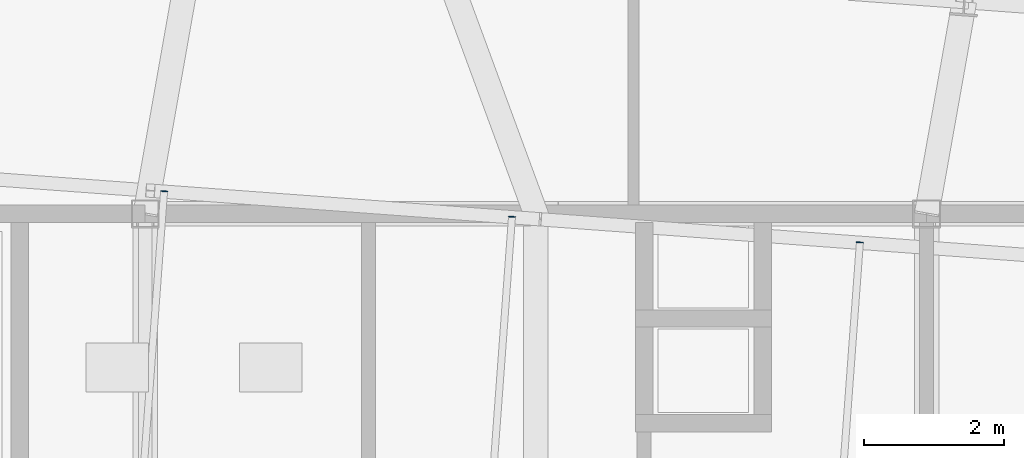
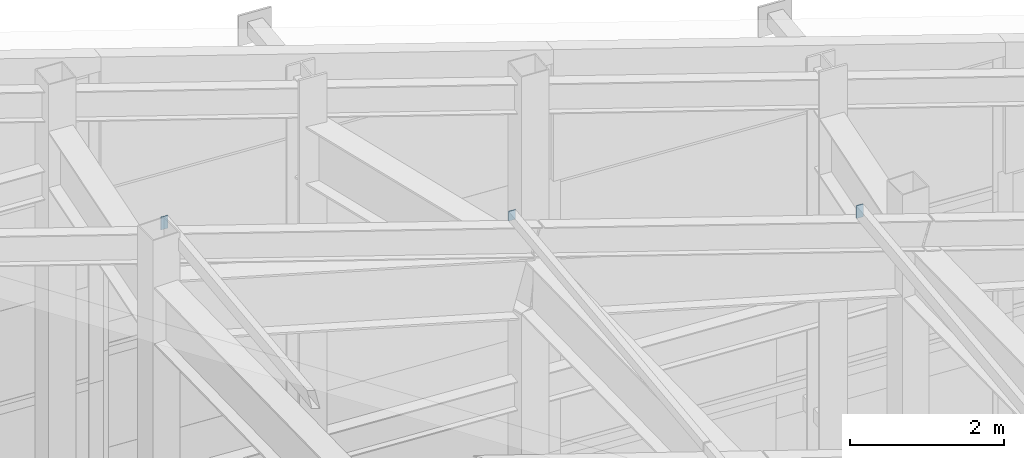
# One storey, part 46 of 56: 3 plates.
"""IFC4 building model written with IfcOpenShell, lengths in metres."""

from ifc_helpers import new_model, si_unit, direction, frame, origin, origin_2d, place, context, subcontext, project, spatial, rectangle, extrude, source, transform, mapped, material, layer, layer_set, type_object, element, save


model = new_model("IFC4")

# Units and contexts
model_context = context("Model", 3, precision=1e-05, world=origin(), true_north=direction((0.0, 1.0)))
body_context = subcontext(model_context, "Body", "Model", "MODEL_VIEW")
ifc_project = project(units=[si_unit("LENGTHUNIT", "METRE"), si_unit("AREAUNIT", "SQUARE_METRE"), si_unit("VOLUMEUNIT", "CUBIC_METRE"), si_unit("PLANEANGLEUNIT", "RADIAN"), si_unit("MASSUNIT", "GRAM", prefix="KILO")], contexts=[model_context])

# Site, building, storey
site_placement = place(None, origin())
site = spatial("IfcSite", under=ifc_project, at=site_placement, CompositionType="ELEMENT")
building_placement = place(site_placement, origin())
building = spatial("IfcBuilding", under=site, at=building_placement, Name="Taldren Reach Tower", CompositionType="ELEMENT")
storey_placement = place(building_placement, frame((0.0, 0.0, 253.050048828125)))
storey = spatial("IfcBuildingStorey", under=building, at=storey_placement, Name="L77", CompositionType="ELEMENT", Elevation=253.050048828125)

# Plates
ifc_material = material(Name="Steel Gr 350 (C350L0)", Category="steel")
ifc_layer_1 = layer(ifc_material, 0.011962890625)
ifc_layer_set_1 = layer_set([ifc_layer_1], Name="Steel Gr 350 (C350L0)")
plate_type_1 = type_object("IfcPlateType", Name="PL-CAP-100X200", PredefinedType="SHEET", material=ifc_layer_set_1)
shared_shape_1 = source(origin(), body_context, "Body", "SweptSolid", [
    extrude(rectangle(XDim=0.10009765625, YDim=0.011962890625, at=origin_2d()), origin(), (0.0, 0.0, 1.0), 0.199951171875),
])
for number, where, z_axis, x_axis, name in (
    (1, (28.270263671875, 32.32421875, 12.67578125), (0.0, 0.0, 1.0), (0.997314477224, -0.073238197128, 0.0), "Crown roof purlin end cap plate PR-3.4"),
    (2, (38.243408203125, 31.591796875, 9.80908203125), (0.0, 0.0, 1.0), (0.997314477224, -0.073238197128, 0.0), "Crown roof purlin end cap plate PR-5.4"),
):
    element("IfcPlate", number, at=place(storey_placement, frame(where, z_axis=z_axis, x_axis=x_axis)), inside=storey, type_object=plate_type_1, Name=name, PredefinedType="SHEET", context=body_context, shape_type="MappedRepresentation", body=[
        mapped(shared_shape_1, transform((0.0, 0.0, 0.0), scale=1.0)),
    ])
ifc_layer_2 = layer(ifc_material, 0.011962890625)
ifc_layer_set_2 = layer_set([ifc_layer_2], Name="Steel Gr 350 (C350L0)")
plate_type_2 = type_object("IfcPlateType", Name="PL-CAP-100X150", PredefinedType="SHEET", material=ifc_layer_set_2)
shared_shape_2 = source(origin(), body_context, "Body", "SweptSolid", [
    extrude(rectangle(XDim=0.10009765625, YDim=0.011962890625, at=origin_2d()), origin(), (0.0, 0.0, 1.0), 0.14990234375),
])
plate_placement = place(storey_placement, frame((33.2568359375, 31.9580078125, 11.29345703125), z_axis=(0.0, 0.0, 1.0), x_axis=(0.997314477224, -0.073238197128, 0.0)))
element("IfcPlate", 3, at=plate_placement, inside=storey, type_object=plate_type_2, Name="Crown roof purlin end cap plate PR-4.4", PredefinedType="SHEET", context=body_context, shape_type="MappedRepresentation", body=[
    mapped(shared_shape_2, transform((0.0, 0.0, 0.0), scale=1.0)),
])

save(model, "model.ifc")
